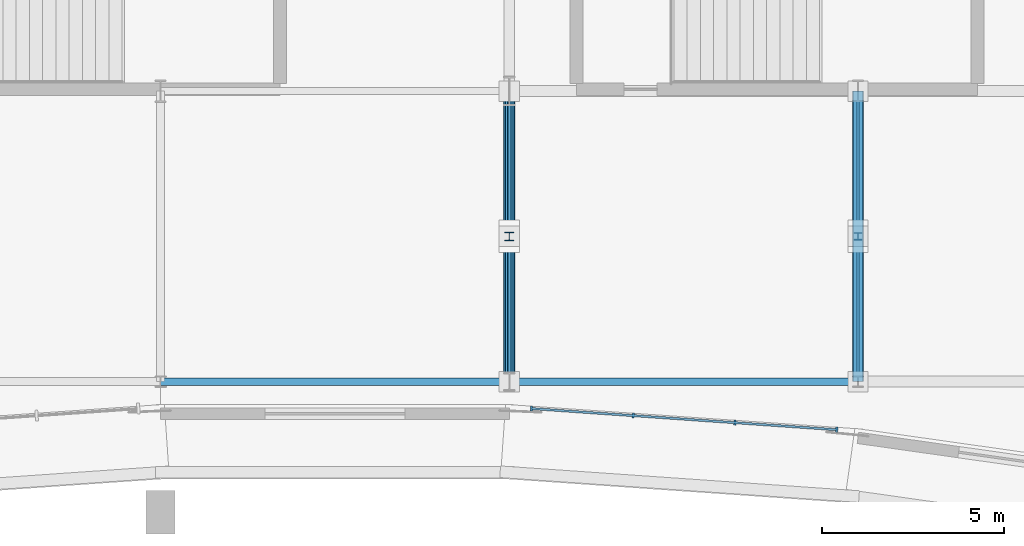
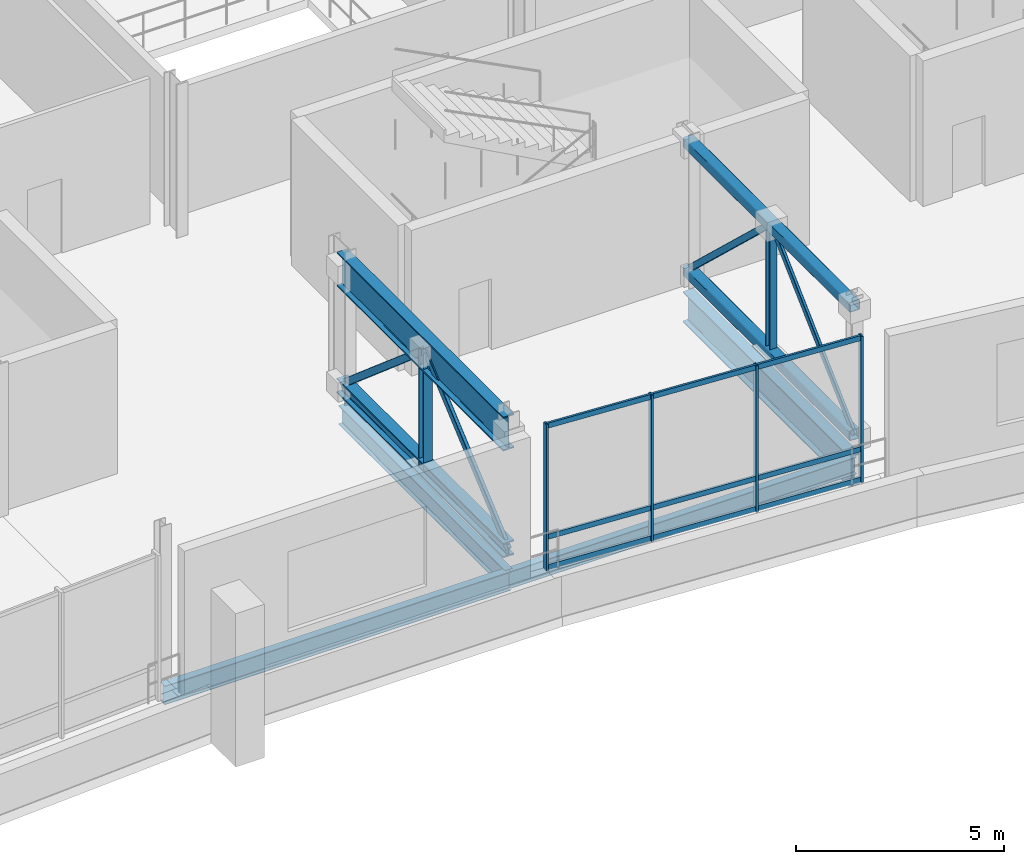
# One storey, part 36 of 193: 17 members, 4 beams, 1 element without a shape of its own.
"""IFC4 building model written with IfcOpenShell, lengths in metres."""

from ifc_helpers import new_model, si_unit, direction, frame, origin, origin_2d, place, context, subcontext, project, spatial, rectangle, hollow_rectangle, i_section, extrude, material, material_profile, profile_set, type_object, element, aggregate, save


model = new_model("IFC4")

# Units and contexts
model_context = context("Model", 3, precision=1e-05, world=origin(), true_north=direction((0.0, 1.0)))
body_context = subcontext(model_context, "Body", "Model", "MODEL_VIEW")
ifc_project = project(units=[si_unit("LENGTHUNIT", "METRE"), si_unit("AREAUNIT", "SQUARE_METRE"), si_unit("VOLUMEUNIT", "CUBIC_METRE"), si_unit("PLANEANGLEUNIT", "RADIAN"), si_unit("MASSUNIT", "GRAM", prefix="KILO")], contexts=[model_context])

# Site, building, storey
site_placement = place(None, origin())
site = spatial("IfcSite", under=ifc_project, at=site_placement, CompositionType="ELEMENT")
building_placement = place(site_placement, origin())
building = spatial("IfcBuilding", under=site, at=building_placement, Name="Danafjord Basin Convention Centre", CompositionType="ELEMENT")
storey_placement = place(building_placement, frame((0.0, 0.0, 11.39990234375)))
storey = spatial("IfcBuildingStorey", under=building, at=storey_placement, Name="L02", CompositionType="ELEMENT", Elevation=11.39990234375)

# Beams
ifc_material_1 = material(Name="Steel S355", Category="steel")
ifc_material_profile_1 = material_profile(ifc_material_1, i_section(OverallWidth=0.300048828125, OverallDepth=0.89990234375, WebThickness=0.0185546875, FlangeThickness=0.034912109375, FilletRadius=0.030029296875, at=origin_2d()), Name="HEB 900")
ifc_profile_set_1 = profile_set([ifc_material_profile_1], Name="Steel S355")
beam_type_1 = type_object("IfcBeamType", Name="BEAM-BM-HEB900", PredefinedType="BEAM", material=ifc_profile_set_1)
beam_1_placement = place(storey_placement, frame((76.800048828125, 8.0, -0.699951171875), z_axis=(0.0, 1.0, 0.0), x_axis=(-1.0, 0.0, 0.0)))
element("IfcBeam", 1, at=beam_1_placement, inside=storey, type_object=beam_type_1, Name="L02 transverse girder BM-HEB900", PredefinedType="BEAM", context=body_context, shape_type="SweptSolid", body=[
    extrude(i_section(OverallWidth=0.300048828125, OverallDepth=0.89990234375, WebThickness=0.0185546875, FlangeThickness=0.034912109375, FilletRadius=0.030029296875, at=origin_2d()), origin(), (0.0, 0.0, 1.0), 8.0),
])
ifc_material_profile_2 = material_profile(ifc_material_1, i_section(OverallWidth=0.199951171875, OverallDepth=0.5, WebThickness=0.01025390625, FlangeThickness=0.01611328125, FilletRadius=0.02099609375, at=origin_2d()), Name="IPE 500")
ifc_profile_set_2 = profile_set([ifc_material_profile_2], Name="Steel S355")
beam_type_2 = type_object("IfcBeamType", Name="BEAM-BM-IPE500", PredefinedType="BEAM", material=ifc_profile_set_2)
beam_2_placement = place(storey_placement, frame((67.199951171875, 8.0, -0.5), z_axis=(1.0, 0.0, 0.0), x_axis=(0.0, 1.0, 0.0)))
element("IfcBeam", 2, at=beam_2_placement, inside=storey, type_object=beam_type_2, Name="L02 girder BM-IPE500", PredefinedType="BEAM", context=body_context, shape_type="SweptSolid", body=[
    extrude(i_section(OverallWidth=0.199951171875, OverallDepth=0.5, WebThickness=0.01025390625, FlangeThickness=0.01611328125, FilletRadius=0.02099609375, at=origin_2d()), origin(), (0.0, 0.0, 1.0), 9.60009765625),
])
ifc_material_profile_3 = material_profile(ifc_material_1, i_section(OverallWidth=0.2099609375, OverallDepth=0.550048828125, WebThickness=0.010986328125, FlangeThickness=0.01708984375, FilletRadius=0.02392578125, at=origin_2d()), Name="IPE 550")
ifc_profile_set_3 = profile_set([ifc_material_profile_3], Name="Steel S355")
beam_type_3 = type_object("IfcBeamType", Name="BEAM-BM-IPE550", PredefinedType="BEAM", material=ifc_profile_set_3)
beam_3_placement = place(storey_placement, frame((57.60009765625, 8.0, -0.52490234375), z_axis=(1.0, 0.0, 0.0), x_axis=(0.0, 1.0, 0.0)))
element("IfcBeam", 3, at=beam_3_placement, inside=storey, type_object=beam_type_3, Name="L02 girder BM-IPE550", PredefinedType="BEAM", context=body_context, shape_type="SweptSolid", body=[
    extrude(i_section(OverallWidth=0.2099609375, OverallDepth=0.550048828125, WebThickness=0.010986328125, FlangeThickness=0.01708984375, FilletRadius=0.02392578125, at=origin_2d()), origin(), (0.0, 0.0, 1.0), 9.599853515625),
])
beam_4_placement = place(storey_placement, frame((67.199951171875, 8.0, -0.52490234375), z_axis=(0.0, 1.0, 0.0), x_axis=(-1.0, 0.0, 0.0)))
element("IfcBeam", 4, at=beam_4_placement, inside=storey, type_object=beam_type_3, Name="L02 transverse girder BM-IPE550", PredefinedType="BEAM", context=body_context, shape_type="SweptSolid", body=[
    extrude(i_section(OverallWidth=0.2099609375, OverallDepth=0.550048828125, WebThickness=0.010986328125, FlangeThickness=0.01708984375, FilletRadius=0.02392578125, at=origin_2d()), origin(), (0.0, 0.0, 1.0), 8.0),
])

# Members
ifc_material_profile_4 = material_profile(ifc_material_1, i_section(OverallWidth=0.300048828125, OverallDepth=1.0, WebThickness=0.01904296875, FlangeThickness=0.035888671875, FilletRadius=0.030029296875, at=origin_2d()), Name="HEB 1000")
ifc_profile_set_4 = profile_set([ifc_material_profile_4], Name="Steel S355")
member_type_1 = type_object("IfcMemberType", Name="MEM-CH-HEB1000", PredefinedType="CHORD", material=ifc_profile_set_4)
member_1_placement = place(storey_placement, frame((67.199951171875, 8.0, 3.77001953125), z_axis=(0.0, 1.0, 0.0), x_axis=(-1.0, 0.0, 0.0)))
element("IfcMember", 5, at=member_1_placement, inside=storey, type_object=member_type_1, Name="Transfer truss TT-04 top chord", PredefinedType="CHORD", context=body_context, shape_type="SweptSolid", body=[
    extrude(i_section(OverallWidth=0.300048828125, OverallDepth=1.0, WebThickness=0.01904296875, FlangeThickness=0.035888671875, FilletRadius=0.030029296875, at=origin_2d()), origin(), (0.0, 0.0, 1.0), 8.0),
])
ifc_material_profile_5 = material_profile(ifc_material_1, i_section(OverallWidth=0.306884765625, OverallDepth=0.431884765625, WebThickness=0.02099609375, FlangeThickness=0.0400390625, FilletRadius=0.027099609375, at=origin_2d()), Name="HEM 400")
ifc_profile_set_5 = profile_set([ifc_material_profile_5], Name="Steel S355")
member_type_2 = type_object("IfcMemberType", Name="MEM-CH-HEM400", PredefinedType="CHORD", material=ifc_profile_set_5)
member_2_placement = place(storey_placement, frame((67.199951171875, 8.0, 0.35009765625), z_axis=(0.0, 1.0, 0.0), x_axis=(-1.0, 0.0, 0.0)))
element("IfcMember", 6, at=member_2_placement, inside=storey, type_object=member_type_2, Name="Transfer truss TT-04 bottom chord", PredefinedType="CHORD", context=body_context, shape_type="SweptSolid", body=[
    extrude(i_section(OverallWidth=0.306884765625, OverallDepth=0.431884765625, WebThickness=0.02099609375, FlangeThickness=0.0400390625, FilletRadius=0.027099609375, at=origin_2d()), origin(), (0.0, 0.0, 1.0), 8.0),
])
ifc_material_profile_6 = material_profile(ifc_material_1, hollow_rectangle(XDim=0.300048828125, YDim=0.300048828125, WallThickness=0.01611328125, InnerFilletRadius=0.02392578125, OuterFilletRadius=0.0400390625, at=origin_2d()), Name="SHS 300x300x16.0")
ifc_profile_set_6 = profile_set([ifc_material_profile_6], Name="Steel S355")
member_type_3 = type_object("IfcMemberType", Name="MEM-CH-SHS300", PredefinedType="CHORD", material=ifc_profile_set_6)
for number, where, z_axis, x_axis, name in (
    (7, (76.800048828125, 8.0, 4.1201171875), (0.0, 1.0, 0.0), (-1.0, 0.0, 0.0), "Transfer truss TT-05 top chord"),
    (8, (76.800048828125, 8.0, 0.35009765625), (0.0, 1.0, 0.0), (-1.0, 0.0, 0.0), "Transfer truss TT-05 bottom chord"),
):
    element("IfcMember", number, at=place(storey_placement, frame(where, z_axis=z_axis, x_axis=x_axis)), inside=storey, type_object=member_type_3, Name=name, PredefinedType="CHORD", context=body_context, shape_type="SweptSolid", body=[
        extrude(hollow_rectangle(XDim=0.300048828125, YDim=0.300048828125, WallThickness=0.01611328125, InnerFilletRadius=0.02392578125, OuterFilletRadius=0.0400390625, at=origin_2d()), origin(), (0.0, 0.0, 1.0), 8.0),
    ])

# Curtain wall, members
ifc_material_2 = material(Name="Anodised aluminium and triple glazing", Category="aluminium")
curtain_wall_type = type_object("IfcCurtainWallType", Name="CW-CW-HARB", PredefinedType="NOTDEFINED", material=ifc_material_2)
curtain_wall_placement = place(storey_placement, origin())
curtain_wall = element("IfcCurtainWall", 9, at=curtain_wall_placement, inside=storey, type_object=curtain_wall_type, Name="L02 CW-HARB unitised curtain wall bay 25", PredefinedType="NOTDEFINED")
ifc_material_3 = material(Name="Anodised aluminium EN AW-6060", Category="aluminium")
ifc_material_profile_7 = material_profile(ifc_material_3, rectangle(XDim=0.06005859375, YDim=0.139892578125, at=origin_2d()), Name="MULL 60x140")
ifc_profile_set_7 = profile_set([ifc_material_profile_7], Name="Anodised aluminium EN AW-6060")
member_type_4 = type_object("IfcMemberType", Name="MEM-ML-140", PredefinedType="MULLION", material=ifc_profile_set_7)
member_3_placement = place(storey_placement, frame((67.811279296875, 7.25927734375, -0.02490234375), z_axis=(0.0, 0.0, 1.0), x_axis=(0.997609375858, -0.069105232798, 0.0)))
member_3 = element("IfcMember", 10, at=member_3_placement, type_object=member_type_4, Name="CW-L02-025 mullion 1", PredefinedType="MULLION", context=body_context, shape_type="SweptSolid", body=[
    extrude(rectangle(XDim=0.06005859375, YDim=0.139892578125, at=origin_2d()), origin(), (0.0, 0.0, 1.0), 4.304931640625),
])
member_4_placement = place(storey_placement, frame((70.6123046875, 7.065185546875, -0.02490234375), z_axis=(0.0, 0.0, 1.0), x_axis=(0.997609375858, -0.069105232798, 0.0)))
member_4 = element("IfcMember", 11, at=member_4_placement, type_object=member_type_4, Name="CW-L02-025 mullion 2", PredefinedType="MULLION", context=body_context, shape_type="SweptSolid", body=[
    extrude(rectangle(XDim=0.06005859375, YDim=0.139892578125, at=origin_2d()), origin(), (0.0, 0.0, 1.0), 4.304931640625),
])
member_5_placement = place(storey_placement, frame((73.4130859375, 6.871337890625, -0.02490234375), z_axis=(0.0, 0.0, 1.0), x_axis=(0.997609375858, -0.069105232798, 0.0)))
member_5 = element("IfcMember", 12, at=member_5_placement, type_object=member_type_4, Name="CW-L02-025 mullion 3", PredefinedType="MULLION", context=body_context, shape_type="SweptSolid", body=[
    extrude(rectangle(XDim=0.06005859375, YDim=0.139892578125, at=origin_2d()), origin(), (0.0, 0.0, 1.0), 4.304931640625),
])
member_6_placement = place(storey_placement, frame((76.214111328125, 6.67724609375, -0.02490234375), z_axis=(0.0, 0.0, 1.0), x_axis=(0.997609375858, -0.069105232798, 0.0)))
member_6 = element("IfcMember", 13, at=member_6_placement, type_object=member_type_4, Name="CW-L02-025 mullion 4", PredefinedType="MULLION", context=body_context, shape_type="SweptSolid", body=[
    extrude(rectangle(XDim=0.06005859375, YDim=0.139892578125, at=origin_2d()), origin(), (0.0, 0.0, 1.0), 4.304931640625),
])

# Members
ifc_material_profile_8 = material_profile(ifc_material_1, i_section(OverallWidth=0.199951171875, OverallDepth=0.199951171875, WebThickness=0.009033203125, FlangeThickness=0.014892578125, FilletRadius=0.01806640625, at=origin_2d()), Name="HEB 200")
ifc_profile_set_8 = profile_set([ifc_material_profile_8], Name="Steel S355")
member_type_5 = type_object("IfcMemberType", Name="MEM-ST-HEB200", PredefinedType="STRUT", material=ifc_profile_set_8)
member_7_placement = place(storey_placement, frame((76.800048828125, 12.0, 0.35009765625), z_axis=(0.0, 0.0, 1.0), x_axis=(1.0, 0.0, 0.0)))
element("IfcMember", 14, at=member_7_placement, inside=storey, type_object=member_type_5, Name="Transfer truss TT-05 mid-post", PredefinedType="STRUT", context=body_context, shape_type="SweptSolid", body=[
    extrude(i_section(OverallWidth=0.199951171875, OverallDepth=0.199951171875, WebThickness=0.009033203125, FlangeThickness=0.014892578125, FilletRadius=0.01806640625, at=origin_2d()), origin(), (0.0, 0.0, 1.0), 3.77001953125),
])
ifc_material_profile_9 = material_profile(ifc_material_1, i_section(OverallWidth=0.239990234375, OverallDepth=0.239990234375, WebThickness=0.010009765625, FlangeThickness=0.01708984375, FilletRadius=0.02099609375, at=origin_2d()), Name="HEB 240")
ifc_profile_set_9 = profile_set([ifc_material_profile_9], Name="Steel S355")
member_type_6 = type_object("IfcMemberType", Name="MEM-ST-HEB240", PredefinedType="STRUT", material=ifc_profile_set_9)
member_8_placement = place(storey_placement, frame((67.199951171875, 12.0, 0.35009765625), z_axis=(0.0, 0.0, 1.0), x_axis=(1.0, 0.0, 0.0)))
element("IfcMember", 15, at=member_8_placement, inside=storey, type_object=member_type_6, Name="Transfer truss TT-04 mid-post", PredefinedType="STRUT", context=body_context, shape_type="SweptSolid", body=[
    extrude(i_section(OverallWidth=0.239990234375, OverallDepth=0.239990234375, WebThickness=0.010009765625, FlangeThickness=0.01708984375, FilletRadius=0.02099609375, at=origin_2d()), origin(), (0.0, 0.0, 1.0), 3.419921875),
])

# Member
ifc_material_profile_10 = material_profile(ifc_material_3, rectangle(XDim=0.06005859375, YDim=0.14990234375, at=origin_2d()), Name="TRAN 60x150")
ifc_profile_set_10 = profile_set([ifc_material_profile_10], Name="Anodised aluminium EN AW-6060")
member_type_7 = type_object("IfcMemberType", Name="MEM-TR-150", PredefinedType="USERDEFINED", material=ifc_profile_set_10)
member_9_placement = place(storey_placement, frame((67.811279296875, 7.25927734375, 0.06005859375), z_axis=(0.997609702641, -0.069100515169, 0.0), x_axis=(0.069100515169, 0.997609702641, 0.0)))
member_9 = element("IfcMember", 16, at=member_9_placement, type_object=member_type_7, Name="CW-L02-025 transom 1", ObjectType="TRANSOM", PredefinedType="USERDEFINED", context=body_context, shape_type="SweptSolid", body=[
    extrude(rectangle(XDim=0.06005859375, YDim=0.14990234375, at=origin_2d()), origin(), (0.0, 0.0, 1.0), 8.4228515625),
])

member_10_placement = place(storey_placement, frame((67.811279296875, 7.25927734375, 0.9501953125), z_axis=(0.997609702641, -0.069100515169, 0.0), x_axis=(0.069100515169, 0.997609702641, 0.0)))
member_10 = element("IfcMember", 17, at=member_10_placement, type_object=member_type_7, Name="CW-L02-025 transom 2", ObjectType="TRANSOM", PredefinedType="USERDEFINED", context=body_context, shape_type="SweptSolid", body=[
    extrude(rectangle(XDim=0.06005859375, YDim=0.14990234375, at=origin_2d()), origin(), (0.0, 0.0, 1.0), 8.4228515625),
])

member_11_placement = place(storey_placement, frame((67.811279296875, 7.25927734375, 4.210205078125), z_axis=(0.997609702641, -0.069100515169, 0.0), x_axis=(0.069100515169, 0.997609702641, 0.0)))
member_11 = element("IfcMember", 18, at=member_11_placement, type_object=member_type_7, Name="CW-L02-025 transom 3", ObjectType="TRANSOM", PredefinedType="USERDEFINED", context=body_context, shape_type="SweptSolid", body=[
    extrude(rectangle(XDim=0.06005859375, YDim=0.14990234375, at=origin_2d()), origin(), (0.0, 0.0, 1.0), 8.4228515625),
])

aggregate(curtain_wall, [member_3, member_4, member_5, member_6, member_9, member_10, member_11])

# Members
ifc_material_profile_11 = material_profile(ifc_material_1, hollow_rectangle(XDim=0.080078125, YDim=0.179931640625, WallThickness=0.006103515625, InnerFilletRadius=0.009033203125, OuterFilletRadius=0.014892578125, at=origin_2d()), Name="RHS 180x80x6.0")
ifc_profile_set_11 = profile_set([ifc_material_profile_11], Name="Steel S355")
member_type_8 = type_object("IfcMemberType", Name="MEM-WB-RHS180", PredefinedType="MEMBER", material=ifc_profile_set_11)
for number, where, z_axis, x_axis, name in (
    (19, (76.800048828125, 8.0, 0.35009765625), (0.0, 0.727717344841, 0.68587715082), (-1.0, 0.0, 0.0), "Transfer truss TT-05 web member A"),
    (20, (76.800048828125, 16.0, 0.35009765625), (0.0, -0.727717344841, 0.68587715082), (1.0, 0.0, 0.0), "Transfer truss TT-05 web member B"),
):
    element("IfcMember", number, at=place(storey_placement, frame(where, z_axis=z_axis, x_axis=x_axis)), inside=storey, type_object=member_type_8, Name=name, PredefinedType="MEMBER", context=body_context, shape_type="SweptSolid", body=[
        extrude(hollow_rectangle(XDim=0.080078125, YDim=0.179931640625, WallThickness=0.006103515625, InnerFilletRadius=0.009033203125, OuterFilletRadius=0.014892578125, at=origin_2d()), origin(), (0.0, 0.0, 1.0), 5.49658203125),
    ])
ifc_material_profile_12 = material_profile(ifc_material_1, hollow_rectangle(XDim=0.10009765625, YDim=0.199951171875, WallThickness=0.00634765625, InnerFilletRadius=0.009521484375, OuterFilletRadius=0.015869140625, at=origin_2d()), Name="RHS 200x100x6.3")
ifc_profile_set_12 = profile_set([ifc_material_profile_12], Name="Steel S355")
member_type_9 = type_object("IfcMemberType", Name="MEM-WB-RHS200", PredefinedType="MEMBER", material=ifc_profile_set_12)
for number, where, z_axis, x_axis, name in (
    (21, (67.199951171875, 8.0, 0.35009765625), (0.0, 0.760068124431, 0.649843401308), (-1.0, 0.0, 0.0), "Transfer truss TT-04 web member A"),
    (22, (67.199951171875, 16.0, 0.35009765625), (0.0, -0.760068124431, 0.649843401308), (1.0, 0.0, 0.0), "Transfer truss TT-04 web member B"),
):
    element("IfcMember", number, at=place(storey_placement, frame(where, z_axis=z_axis, x_axis=x_axis)), inside=storey, type_object=member_type_9, Name=name, PredefinedType="MEMBER", context=body_context, shape_type="SweptSolid", body=[
        extrude(hollow_rectangle(XDim=0.10009765625, YDim=0.199951171875, WallThickness=0.00634765625, InnerFilletRadius=0.009521484375, OuterFilletRadius=0.015869140625, at=origin_2d()), origin(), (0.0, 0.0, 1.0), 5.2626953125),
    ])

save(model, "model.ifc")
